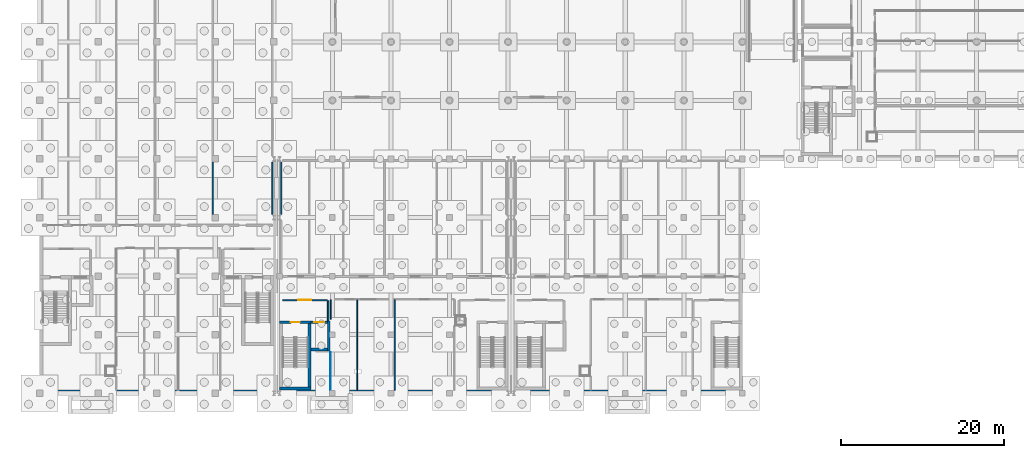
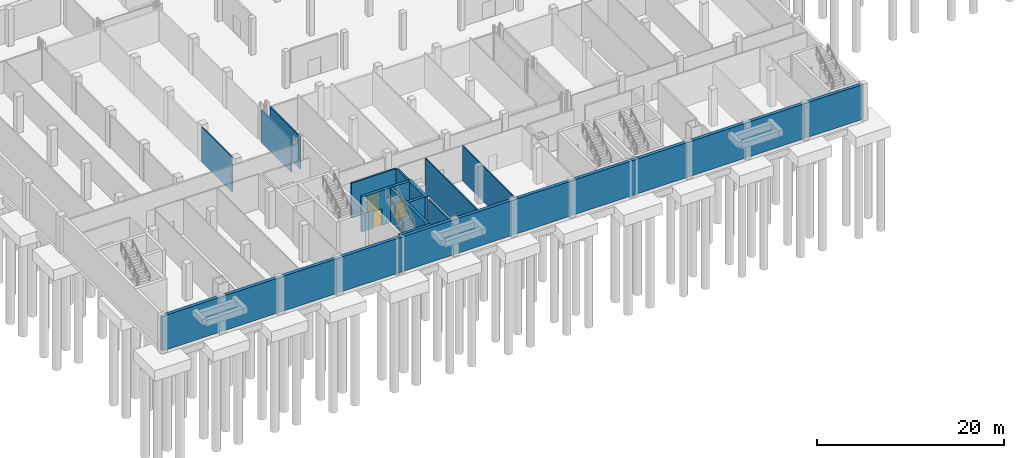
# One storey, part 16 of 35: 16 walls, 3 doors, 3 openings.
"""IFC4 building model written with IfcOpenShell, lengths in metres."""

from ifc_helpers import new_model, si_unit, direction, frame, frame_2d, origin, place, context, subcontext, project, spatial, rectangle, extrude, material, layer, layer_set, type_object, element, fill, save


model = new_model("IFC4")

# Units and contexts
model_context = context("Model", 3, precision=1e-05, world=origin(), true_north=direction((0.0, 1.0)))
body_context = subcontext(model_context, "Body", "Model", "MODEL_VIEW")
ifc_project = project(units=[si_unit("LENGTHUNIT", "METRE"), si_unit("AREAUNIT", "SQUARE_METRE"), si_unit("VOLUMEUNIT", "CUBIC_METRE"), si_unit("PLANEANGLEUNIT", "RADIAN"), si_unit("MASSUNIT", "GRAM", prefix="KILO")], contexts=[model_context])

# Site, building, storey
site_placement = place(None, origin())
site = spatial("IfcSite", under=ifc_project, at=site_placement, CompositionType="ELEMENT")
building_placement = place(site_placement, origin())
building = spatial("IfcBuilding", under=site, at=building_placement, Name="Zarrinpeak Specialist Clinic", CompositionType="ELEMENT")
storey_placement = place(building_placement, frame((0.0, 0.0, -4.800048828125)))
storey = spatial("IfcBuildingStorey", under=building, at=storey_placement, Name="B01", CompositionType="ELEMENT", Elevation=-4.800048828125)

# Wall
ifc_material_1 = material(Name="Concrete C40/50", Category="concrete")
ifc_layer_1 = layer(ifc_material_1, 0.35009765625)
ifc_layer_set_1 = layer_set([ifc_layer_1], Name="Concrete C40/50")
wall_type_1 = type_object("IfcWallType", Name="WL-CR350", PredefinedType="SHEAR", material=ifc_layer_set_1)
wall_1_placement = place(storey_placement, frame((29.52001953125, 0.574951171875, 0.0), z_axis=(0.0, 0.0, 1.0), x_axis=(1.0, 0.0, 0.0)))
element("IfcWall", 1, at=wall_1_placement, inside=storey, type_object=wall_type_1, Name="B01 Core C03 Shear Wall STS", PredefinedType="SHEAR", context=body_context, shape_type="SweptSolid", body=[
    extrude(rectangle(XDim=3.85009765625, YDim=0.35009765625, at=frame_2d((1.925048828125, 0.0))), origin(), (0.0, 0.0, 1.0), 4.545166015625),
])

# Wall, opening, door
wall_2_placement = place(storey_placement, frame((29.52001953125, 8.72509765625, 0.0), z_axis=(0.0, 0.0, 1.0), x_axis=(1.0, 0.0, 0.0)))
wall_2 = element("IfcWall", 2, at=wall_2_placement, inside=storey, type_object=wall_type_1, Name="B01 Core C03 Shear Wall STN", PredefinedType="SHEAR", context=body_context, shape_type="SweptSolid", body=[
    extrude(rectangle(XDim=3.85009765625, YDim=0.35009765625, at=frame_2d((1.925048828125, 0.0))), origin(), (0.0, 0.0, 1.0), 4.545166015625),
])
opening_1_placement = place(wall_2_placement, frame((1.375, 0.0, 0.0)))
opening_1 = element("IfcOpeningElement", 3, at=opening_1_placement, cuts=wall_2, Name="Opening D-S02", PredefinedType="OPENING", context=body_context, shape_type="SweptSolid", body=[
    extrude(rectangle(XDim=1.10009765625, YDim=2.14990234375, at=frame_2d((0.550048828125, 1.074951171875))), frame((0.0, 0.18505859375, 0.0), z_axis=(0.0, -1.0, 0.0), x_axis=(1.0, 0.0, 0.0)), (0.0, 0.0, 1.0), 0.3701171875),
])
ifc_material_2 = material(Name="Powder-Coated Galvanised Steel", Category="steel")
door_type_1 = type_object("IfcDoorType", Name="DR-FD110", OperationType="SINGLE_SWING_RIGHT", PredefinedType="DOOR", material=ifc_material_2)
door_1_placement = place(opening_1_placement, frame((1.10009765625, 0.0, 0.0), z_axis=(0.0, 0.0, 1.0), x_axis=(-1.0, 0.0, 0.0)))
door_1 = element("IfcDoor", 4, at=door_1_placement, inside=storey, type_object=door_type_1, Name="B01 Protected Stair ST-03 Fire Door", OperationType="SINGLE_SWING_RIGHT", OverallHeight=2.14990234375, OverallWidth=1.10009765625, PredefinedType="DOOR", context=body_context, shape_type="SweptSolid", body=[
    extrude(rectangle(XDim=1.10009765625, YDim=2.14990234375, at=frame_2d((0.550048828125, 1.074951171875))), frame((0.0, 0.02490234375, 0.0), z_axis=(0.0, -1.0, 0.0), x_axis=(1.0, 0.0, 0.0)), (0.0, 0.0, 1.0), 0.050048828125),
])
fill(opening_1, door_1)

# Walls
wall_3_placement = place(storey_placement, frame((33.195068359375, 0.75, 0.0), z_axis=(0.0, 0.0, 1.0), x_axis=(0.0, 1.0, 0.0)))
element("IfcWall", 5, at=wall_3_placement, inside=storey, type_object=wall_type_1, Name="B01 Core C03 Shear Wall STE", PredefinedType="SHEAR", context=body_context, shape_type="SweptSolid", body=[
    extrude(rectangle(XDim=7.800048828125, YDim=0.35009765625, at=frame_2d((3.89990234375, 0.0))), origin(), (0.0, 0.0, 1.0), 4.545166015625),
])
wall_4_placement = place(storey_placement, frame((33.3701171875, 5.375, 0.0), z_axis=(0.0, 0.0, 1.0), x_axis=(1.0, 0.0, 0.0)))
element("IfcWall", 6, at=wall_4_placement, inside=storey, type_object=wall_type_1, Name="B01 Lift LF-P2 Shaft Wall LFS", PredefinedType="SHEAR", context=body_context, shape_type="SweptSolid", body=[
    extrude(rectangle(XDim=2.0, YDim=0.35009765625, at=frame_2d((1.0, 0.0))), origin(), (0.0, 0.0, 1.0), 4.545166015625),
])

# Wall, opening, door
wall_5_placement = place(storey_placement, frame((33.3701171875, 8.72509765625, 0.0), z_axis=(0.0, 0.0, 1.0), x_axis=(1.0, 0.0, 0.0)))
wall_5 = element("IfcWall", 7, at=wall_5_placement, inside=storey, type_object=wall_type_1, Name="B01 Lift LF-P2 Shaft Wall LFN", PredefinedType="SHEAR", context=body_context, shape_type="SweptSolid", body=[
    extrude(rectangle(XDim=2.0, YDim=0.35009765625, at=frame_2d((1.0, 0.0))), origin(), (0.0, 0.0, 1.0), 4.545166015625),
])
opening_2_placement = place(wall_5_placement, frame((0.39990234375, 0.0, 0.0)))
opening_2 = element("IfcOpeningElement", 8, at=opening_2_placement, cuts=wall_5, Name="Opening LD-02", PredefinedType="OPENING", context=body_context, shape_type="SweptSolid", body=[
    extrude(rectangle(XDim=1.199951171875, YDim=2.199951171875, at=frame_2d((0.60009765625, 1.10009765625))), frame((0.0, 0.18505859375, 0.0), z_axis=(0.0, -1.0, 0.0), x_axis=(1.0, 0.0, 0.0)), (0.0, 0.0, 1.0), 0.3701171875),
])
door_type_2 = type_object("IfcDoorType", Name="DR-LD120", OperationType="SLIDING_TO_RIGHT", PredefinedType="DOOR", material=ifc_material_2)
door_2_placement = place(opening_2_placement, origin())
door_2 = element("IfcDoor", 9, at=door_2_placement, inside=storey, type_object=door_type_2, Name="B01 Lift LF-P2 Sliding Landing Door", OperationType="SLIDING_TO_RIGHT", OverallHeight=2.199951171875, OverallWidth=1.199951171875, PredefinedType="DOOR", context=body_context, shape_type="SweptSolid", body=[
    extrude(rectangle(XDim=1.199951171875, YDim=2.199951171875, at=frame_2d((0.60009765625, 1.10009765625))), frame((0.0, 0.02490234375, 0.0), z_axis=(0.0, -1.0, 0.0), x_axis=(1.0, 0.0, 0.0)), (0.0, 0.0, 1.0), 0.050048828125),
])
fill(opening_2, door_2)

# Walls
wall_6_placement = place(storey_placement, frame((35.544921875, 5.199951171875, 0.0), z_axis=(0.0, 0.0, 1.0), x_axis=(0.0, 1.0, 0.0)))
element("IfcWall", 10, at=wall_6_placement, inside=storey, type_object=wall_type_1, Name="B01 Lift LF-P2 Shaft Wall LFE", PredefinedType="SHEAR", context=body_context, shape_type="SweptSolid", body=[
    extrude(rectangle(XDim=3.699951171875, YDim=0.35009765625, at=frame_2d((1.85009765625, 0.0))), origin(), (0.0, 0.0, 1.0), 4.545166015625),
])
ifc_material_3 = material(Name="Sanitary Service Chase Plumbing Wall", Category="gypsum")
ifc_layer_2 = layer(ifc_material_3, 0.110107421875)
ifc_layer_set_2 = layer_set([ifc_layer_2], Name="Sanitary Service Chase Plumbing Wall")
wall_type_2 = type_object("IfcWallType", Name="WL-IW110", PredefinedType="PARTITIONING", material=ifc_layer_set_2)
wall_7_placement = place(storey_placement, frame((35.77001953125, 0.39990234375, 0.0), z_axis=(0.0, 0.0, 1.0), x_axis=(0.0, 1.0, 0.0)))
element("IfcWall", 11, at=wall_7_placement, inside=storey, type_object=wall_type_2, Name="B01 Accessible Staff WC Dividing Partition", PredefinedType="PARTITIONING", context=body_context, shape_type="SweptSolid", body=[
    extrude(rectangle(XDim=4.625, YDim=0.110107421875, at=frame_2d((2.3125, 0.0))), origin(), (0.0, 0.0, 1.0), 4.2451171875),
])
ifc_material_4 = material(Name="Moisture-Resistant Wet-Room Partition", Category="gypsum")
ifc_layer_3 = layer(ifc_material_4, 0.125)
ifc_layer_set_3 = layer_set([ifc_layer_3], Name="Moisture-Resistant Wet-Room Partition")
wall_type_3 = type_object("IfcWallType", Name="WL-IW125W", PredefinedType="PARTITIONING", material=ifc_layer_set_3)
wall_8_placement = place(storey_placement, frame((35.77001953125, 9.074951171875, 0.0), z_axis=(0.0, 0.0, 1.0), x_axis=(0.0, 1.0, 0.0)))
element("IfcWall", 12, at=wall_8_placement, inside=storey, type_object=wall_type_3, Name="B01 Accessible Staff WC Dividing Partition", PredefinedType="PARTITIONING", context=body_context, shape_type="SweptSolid", body=[
    extrude(rectangle(XDim=2.41259765625, YDim=0.125, at=frame_2d((1.206298828125, 0.0))), origin(), (0.0, 0.0, 1.0), 4.2451171875),
])
wall_9_placement = place(storey_placement, frame((39.070068359375, 0.39990234375, 0.0), z_axis=(0.0, 0.0, 1.0), x_axis=(0.0, 1.0, 0.0)))
element("IfcWall", 13, at=wall_9_placement, inside=storey, type_object=wall_type_3, Name="B01 Accessible Staff WC Dividing Partition", PredefinedType="PARTITIONING", context=body_context, shape_type="SweptSolid", body=[
    extrude(rectangle(XDim=11.087646484375, YDim=0.125, at=frame_2d((5.5439453125, 0.0))), origin(), (0.0, 0.0, 1.0), 4.545166015625),
])
ifc_material_5 = material(Name="Standard Drywall Partition", Category="gypsum")
ifc_layer_4 = layer(ifc_material_5, 0.135009765625)
ifc_layer_set_4 = layer_set([ifc_layer_4], Name="Standard Drywall Partition")
wall_type_4 = type_object("IfcWallType", Name="WL-IW135", PredefinedType="PARTITIONING", material=ifc_layer_set_4)
wall_10_placement = place(storey_placement, frame((21.300048828125, 21.97998046875, 0.0), z_axis=(0.0, 0.0, 1.0), x_axis=(0.0, 1.0, 0.0)))
element("IfcWall", 14, at=wall_10_placement, inside=storey, type_object=wall_type_4, Name="B01 Specialist Consultation Room 1 Dividing Partition", PredefinedType="PARTITIONING", context=body_context, shape_type="SweptSolid", body=[
    extrude(rectangle(XDim=6.43994140625, YDim=0.135009765625, at=frame_2d((3.219970703125, 0.0))), origin(), (0.0, 0.0, 1.0), 4.545166015625),
])
wall_11_placement = place(storey_placement, frame((43.669921875, 0.39990234375, 0.0), z_axis=(0.0, 0.0, 1.0), x_axis=(0.0, 1.0, 0.0)))
element("IfcWall", 15, at=wall_11_placement, inside=storey, type_object=wall_type_4, Name="B01 Pharmacy Receiving Store Dividing Partition", PredefinedType="PARTITIONING", context=body_context, shape_type="SweptSolid", body=[
    extrude(rectangle(XDim=11.087646484375, YDim=0.135009765625, at=frame_2d((5.5439453125, 0.0))), origin(), (0.0, 0.0, 1.0), 4.545166015625),
])
ifc_material_6 = material(Name="Acoustic Consultation Stud Partition", Category="gypsum")
ifc_layer_5 = layer(ifc_material_6, 0.14208984375)
ifc_layer_set_5 = layer_set([ifc_layer_5], Name="Acoustic Consultation Stud Partition")
wall_type_5 = type_object("IfcWallType", Name="WL-IW142", PredefinedType="PARTITIONING", material=ifc_layer_set_5)
for number, where, z_axis, x_axis, name in (
    (16, (28.60009765625, 21.97998046875, 0.0), (0.0, 0.0, 1.0), (0.0, 1.0, 0.0), "B01 Specialist Consultation Room 2 Dividing Partition"),
    (17, (29.719970703125, 21.97998046875, 0.0), (0.0, 0.0, 1.0), (0.0, 1.0, 0.0), "B01 Pneumatic Tube Dispatch Plant Dividing Partition"),
):
    element("IfcWall", number, at=place(storey_placement, frame(where, z_axis=z_axis, x_axis=x_axis)), inside=storey, type_object=wall_type_5, Name=name, PredefinedType="PARTITIONING", context=body_context, shape_type="SweptSolid", body=[
        extrude(rectangle(XDim=6.43994140625, YDim=0.14208984375, at=frame_2d((3.219970703125, 0.0))), origin(), (0.0, 0.0, 1.0), 4.2451171875),
    ])

# Wall, opening, door
ifc_material_7 = material(Name="Autoclaved Aerated Concrete Blockwork", Category="masonry")
ifc_layer_6 = layer(ifc_material_7, 0.199951171875)
ifc_layer_set_6 = layer_set([ifc_layer_6], Name="Autoclaved Aerated Concrete Blockwork")
wall_type_6 = type_object("IfcWallType", Name="WL-IW200", PredefinedType="PARTITIONING", material=ifc_layer_set_6)
wall_12_placement = place(storey_placement, frame((29.8701171875, 11.449951171875, 0.0), z_axis=(0.0, 0.0, 1.0), x_axis=(1.0, 0.0, 0.0)))
wall_12 = element("IfcWall", 18, at=wall_12_placement, inside=storey, type_object=wall_type_6, Name="B01 C03 Protected Lobby Partition LBF", PredefinedType="PARTITIONING", context=body_context, shape_type="SweptSolid", body=[
    extrude(rectangle(XDim=5.5, YDim=0.199951171875, at=frame_2d((2.75, 0.0))), origin(), (0.0, 0.0, 1.0), 4.545166015625),
])
opening_3_placement = place(wall_12_placement, frame((1.949951171875, 0.0, 0.0)))
opening_3 = element("IfcOpeningElement", 19, at=opening_3_placement, cuts=wall_12, Name="Opening D-L01", PredefinedType="OPENING", context=body_context, shape_type="SweptSolid", body=[
    extrude(rectangle(XDim=1.60009765625, YDim=2.199951171875, at=frame_2d((0.800048828125, 1.10009765625))), frame((0.0, 0.10986328125, 0.0), z_axis=(0.0, -1.0, 0.0), x_axis=(1.0, 0.0, 0.0)), (0.0, 0.0, 1.0), 0.219970703125),
])
door_type_3 = type_object("IfcDoorType", Name="DR-LB160", OperationType="DOUBLE_DOOR_SINGLE_SWING", PredefinedType="DOOR", material=ifc_material_2)
door_3_placement = place(opening_3_placement, origin())
door_3 = element("IfcDoor", 20, at=door_3_placement, inside=storey, type_object=door_type_3, Name="B01 C03 Lobby Hold-Open Fire Door", OperationType="DOUBLE_DOOR_SINGLE_SWING", OverallHeight=2.199951171875, OverallWidth=1.60009765625, PredefinedType="DOOR", context=body_context, shape_type="SweptSolid", body=[
    extrude(rectangle(XDim=1.60009765625, YDim=2.199951171875, at=frame_2d((0.800048828125, 1.10009765625))), frame((0.0, 0.02490234375, 0.0), z_axis=(0.0, -1.0, 0.0), x_axis=(1.0, 0.0, 0.0)), (0.0, 0.0, 1.0), 0.050048828125),
])
fill(opening_3, door_3)

# Walls
wall_13_placement = place(storey_placement, frame((35.469970703125, 8.89990234375, 0.0), z_axis=(0.0, 0.0, 1.0), x_axis=(0.0, 1.0, 0.0)))
element("IfcWall", 21, at=wall_13_placement, inside=storey, type_object=wall_type_6, Name="B01 C03 Protected Lobby Partition LBE", PredefinedType="PARTITIONING", context=body_context, shape_type="SweptSolid", body=[
    extrude(rectangle(XDim=2.4501953125, YDim=0.199951171875, at=frame_2d((1.22509765625, 0.0))), origin(), (0.0, 0.0, 1.0), 4.545166015625),
])
ifc_layer_7 = layer(ifc_material_1, 0.39990234375)
ifc_layer_set_7 = layer_set([ifc_layer_7], Name="Concrete C40/50")
wall_type_7 = type_object("IfcWallType", Name="WL-RET400", PredefinedType="USERDEFINED", material=ifc_layer_set_7)
wall_14_placement = place(storey_placement, frame((0.0, 0.199951171875, 0.0), z_axis=(0.0, 0.0, 1.0), x_axis=(1.0, 0.0, 0.0)))
element("IfcWall", 22, at=wall_14_placement, inside=storey, type_object=wall_type_7, Name="B01 Substructure Retaining Wall RW-B01-001", ObjectType="RETAININGWALL", PredefinedType="USERDEFINED", context=body_context, shape_type="SweptSolid", body=[
    extrude(rectangle(XDim=86.39990234375, YDim=0.39990234375, at=frame_2d((43.199951171875, 0.0))), origin(), (0.0, 0.0, 1.0), 4.545166015625),
])

save(model, "model.ifc")
